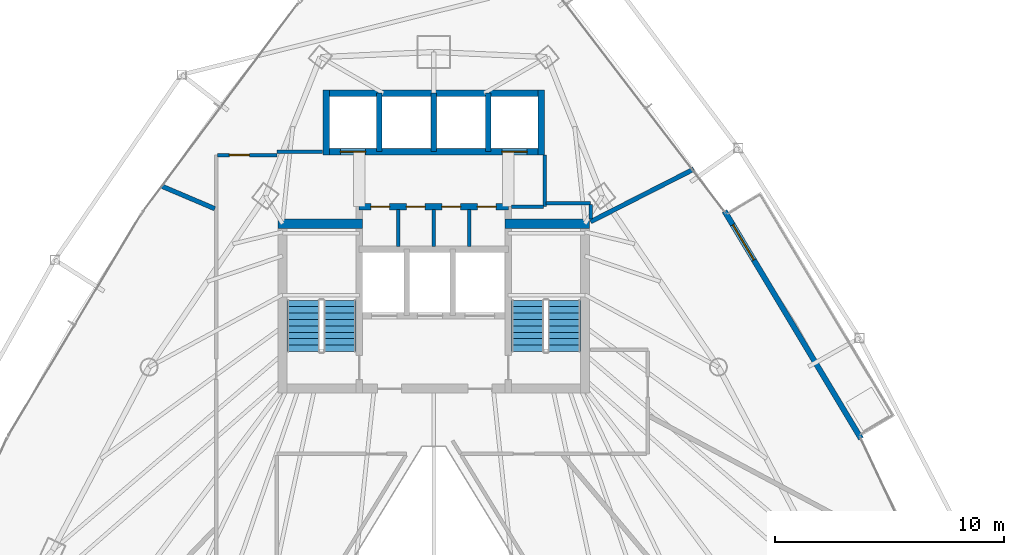
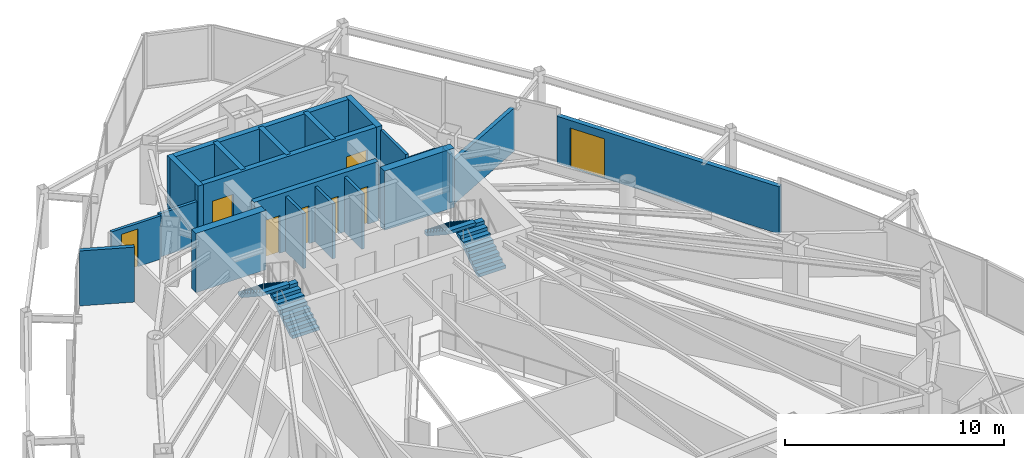
# One storey, part 28 of 31: 22 walls, 8 doors, 4 stair flights, 8 openings, 2 elements without a shape of their own.
"""IFC4 building model written with IfcOpenShell, lengths in metres."""

import ifcopenshell
import ifcopenshell.guid

model = None  # the IFC model being written
_history = None  # IfcOwnerHistory: only IFC2X3 demands one
_inside = {}  # id of a spatial element -> (the spatial element, [elements in it])
_under = {}  # id of a project, library or spatial element -> (it, [spatial elements below it])
_declared = {}  # id of a project -> (the project, [libraries it declares])
_typed = {}  # id of a type object -> (the type object, [elements of that type])
_made_of = {}  # id of a material, layer set ... -> (it, [elements and type objects made of it])


def new_model(schema):
    """Start an empty IFC model of exactly this schema.

    Asked for "IFC4X3", IfcOpenShell would pick the latest addendum, in which some entities
    have other attributes; the version numbers below select the first issue.
    IFC2X3 requires an IfcOwnerHistory on every rooted entity: one is made here for all.
    """
    global model, _history
    if schema == "IFC4X3":
        model = ifcopenshell.file(schema_version=(4, 3, 0, 0))
    else:
        model = ifcopenshell.file(schema=schema)
    _inside.clear()
    _under.clear()
    _declared.clear()
    _typed.clear()
    _made_of.clear()
    _history = None
    if model.schema == "IFC2X3":
        org = make("IfcOrganization", Name="unknown")
        user = make(
            "IfcPersonAndOrganization",
            ThePerson=make("IfcPerson", FamilyName="unknown"),
            TheOrganization=org,
        )
        app = make(
            "IfcApplication",
            ApplicationDeveloper=org,
            Version="unknown",
            ApplicationFullName="unknown",
            ApplicationIdentifier="unknown",
        )
        _history = make(
            "IfcOwnerHistory",
            OwningUser=user,
            OwningApplication=app,
            ChangeAction="ADDED",
            CreationDate=0,
        )
    return model


def make(cls, **values):
    """One entity of the class cls with the attributes given. An attribute that is None is left unset."""
    return model.create_entity(
        cls, **{name: value for name, value in values.items() if value is not None}
    )


def rooted(cls, **values):
    """An entity with a GlobalId (a new one), such as an element, a storey or a relation."""
    return make(cls, GlobalId=ifcopenshell.guid.new(), OwnerHistory=_history, **values)


def si_unit(unit_type, name, prefix=None):
    """IfcSIUnit, for example si_unit("LENGTHUNIT", "METRE", prefix="MILLI")."""
    return make("IfcSIUnit", UnitType=unit_type, Prefix=prefix, Name=name)


def assignment(units):
    """IfcUnitAssignment: the units of a project."""
    return None if units is None else make("IfcUnitAssignment", Units=units)


def point(xyz):
    """IfcCartesianPoint."""
    return None if xyz is None else make("IfcCartesianPoint", Coordinates=xyz)


def direction(xyz):
    """IfcDirection."""
    return None if xyz is None else make("IfcDirection", DirectionRatios=xyz)


def frame(location, z_axis=None, x_axis=None):
    """IfcAxis2Placement3D, a coordinate frame: its origin and axes. An axis left out is left unset."""
    return make(
        "IfcAxis2Placement3D",
        Location=point(location),
        Axis=direction(z_axis),
        RefDirection=direction(x_axis),
    )


def frame_2d(location, x_axis=None):
    """IfcAxis2Placement2D, a coordinate frame in the plane: its origin and x axis."""
    return make(
        "IfcAxis2Placement2D", Location=point(location), RefDirection=direction(x_axis)
    )


def origin():
    """The frame at (0, 0, 0) with its axes left unset."""
    return frame((0.0, 0.0, 0.0))


def place(relative_to, where):
    """IfcLocalPlacement: puts the frame where relative to a parent placement (None: the world)."""
    return make(
        "IfcLocalPlacement", PlacementRelTo=relative_to, RelativePlacement=where
    )


def context(
    kind, dimensions, precision=None, world=None, true_north=None, identifier=None
):
    """IfcGeometricRepresentationContext, for example the 3D "Model" context."""
    return make(
        "IfcGeometricRepresentationContext",
        ContextIdentifier=identifier,
        ContextType=kind,
        CoordinateSpaceDimension=dimensions,
        Precision=precision,
        WorldCoordinateSystem=world,
        TrueNorth=true_north,
    )


def subcontext(parent, identifier, kind, view, scale=None):
    """IfcGeometricRepresentationSubContext, for example "Body" below "Model"."""
    return make(
        "IfcGeometricRepresentationSubContext",
        ContextIdentifier=identifier,
        ContextType=kind,
        ParentContext=parent,
        TargetScale=scale,
        TargetView=view,
    )


def project(units=None, contexts=None):
    """IfcProject with its units and contexts."""
    return rooted(
        "IfcProject",
        Name="project",
        RepresentationContexts=contexts,
        UnitsInContext=assignment(units),
    )


def spatial(cls, under=None, at=None, **own):
    """A site, building, storey or space (cls), placed at a placement, below another one or the project."""
    s = rooted(cls, ObjectPlacement=at, **own)
    if under is not None:
        _under.setdefault(under.id(), (under, []))[1].append(s)
    return s


def polyline(points):
    """IfcPolyline through the points."""
    return make("IfcPolyline", Points=[point(p) for p in points])


def profile(cls, at=None, kind="AREA", **sizes):
    """A parametric profile (cls). Its sizes go by their IFC names, for example OverallWidth=200.0."""
    return make(cls, ProfileType=kind, Position=at, **sizes)


def rectangle(**sizes):
    """IfcRectangleProfileDef."""
    return profile("IfcRectangleProfileDef", **sizes)


def outline(outer, holes=None, kind="AREA"):
    """IfcArbitraryClosedProfileDef: a profile drawn as a closed curve; with holes, ...WithVoids."""
    if holes is None:
        return make("IfcArbitraryClosedProfileDef", ProfileType=kind, OuterCurve=outer)
    return make(
        "IfcArbitraryProfileDefWithVoids",
        ProfileType=kind,
        OuterCurve=outer,
        InnerCurves=holes,
    )


def extrude(swept, where, along, depth):
    """IfcExtrudedAreaSolid: the profile swept, set in the frame where, extruded along a direction by depth."""
    return make(
        "IfcExtrudedAreaSolid",
        SweptArea=swept,
        Position=where,
        ExtrudedDirection=direction(along),
        Depth=depth,
    )


def shape(context_of_items, identifier, shape_type, items):
    """IfcShapeRepresentation: the items that make up one representation, for example the "Body"."""
    return make(
        "IfcShapeRepresentation",
        ContextOfItems=context_of_items,
        RepresentationIdentifier=identifier,
        RepresentationType=shape_type,
        Items=items,
    )


def material(Name=None, Category=None):
    """IfcMaterial."""
    return make("IfcMaterial", Name=Name, Category=Category)


def layer(
    of_material, thickness, ventilated=None, Name=None, Category=None, Priority=None
):
    """IfcMaterialLayer: one layer of a wall or slab, of a material (None: an air gap)."""
    return make(
        "IfcMaterialLayer",
        Material=of_material,
        LayerThickness=thickness,
        IsVentilated=ventilated,
        Name=Name,
        Category=Category,
        Priority=Priority,
    )


def layer_set(layers, Name=None):
    """IfcMaterialLayerSet."""
    return make("IfcMaterialLayerSet", MaterialLayers=layers, LayerSetName=Name)


def made_of(thing, what):
    """Note that an element or type object is made of a material, layer set ...; save() writes the relation."""
    if what is not None:
        _made_of.setdefault(what.id(), (what, []))[1].append(thing)
    return thing


def type_object(cls, material=None, **own):
    """A type object (cls), such as IfcWallType, which elements share."""
    return made_of(rooted(cls, **own), material)


def element(
    cls,
    number,
    at=None,
    inside=None,
    cuts=None,
    type_object=None,
    material=None,
    context=None,
    identifier="Body",
    shape_type=None,
    held_by="IfcProductDefinitionShape",
    body=None,
    shapes=None,
    **own,
):
    """One element of the class cls, such as IfcWall. Its Tag is "e" and its number.

    at: its placement. inside: the storey or other place that contains it. cuts: it is an
    opening in that element (IfcRelVoidsElement). A single representation is given by context,
    identifier, shape_type and body (its items); several are given by shapes. held_by: the class
    of the entity that holds the representations. save() writes the other relations.
    """
    e = rooted(cls, Tag="e%d" % number, ObjectPlacement=at, **own)
    if body is not None:
        shapes = [shape(context, identifier, shape_type, body)]
    if shapes is not None:
        e.Representation = make(held_by, Representations=shapes)
    if inside is not None:
        _inside.setdefault(inside.id(), (inside, []))[1].append(e)
    if cuts is not None:
        rooted(
            "IfcRelVoidsElement", RelatingBuildingElement=cuts, RelatedOpeningElement=e
        )
    if type_object is not None:
        _typed.setdefault(type_object.id(), (type_object, []))[1].append(e)
    return made_of(e, material)


def fill(opening, filler):
    """IfcRelFillsElement: the door or window that sits in an opening."""
    return rooted(
        "IfcRelFillsElement",
        RelatingOpeningElement=opening,
        RelatedBuildingElement=filler,
    )


def aggregate(whole, parts):
    """IfcRelAggregates: a whole, such as a stair, and the parts it consists of."""
    return rooted("IfcRelAggregates", RelatingObject=whole, RelatedObjects=parts)


def save(model, path):
    """Write the relations noted so far, then the file.

    IfcRelAggregates (storeys below a building ...), IfcRelContainedInSpatialStructure (elements
    in a storey), IfcRelDefinesByType, IfcRelAssociatesMaterial and IfcRelDeclares: one each for
    every whole, place, type object, material and project.
    """
    for whole, parts in _under.values():
        aggregate(whole, parts)
    for where, things in _inside.values():
        rooted(
            "IfcRelContainedInSpatialStructure",
            RelatedElements=things,
            RelatingStructure=where,
        )
    for kind, things in _typed.values():
        rooted("IfcRelDefinesByType", RelatedObjects=things, RelatingType=kind)
    for what, things in _made_of.values():
        rooted("IfcRelAssociatesMaterial", RelatedObjects=things, RelatingMaterial=what)
    for by, libraries in _declared.values():
        rooted("IfcRelDeclares", RelatingContext=by, RelatedDefinitions=libraries)
    model.write(path)


model = new_model("IFC4")

# Units and contexts
model_context = context("Model", 3, precision=1e-05, world=origin(), true_north=direction((0.0, 1.0)))
body_context = subcontext(model_context, "Body", "Model", "MODEL_VIEW")
ifc_project = project(units=[si_unit("LENGTHUNIT", "METRE"), si_unit("AREAUNIT", "SQUARE_METRE"), si_unit("VOLUMEUNIT", "CUBIC_METRE"), si_unit("PLANEANGLEUNIT", "RADIAN"), si_unit("MASSUNIT", "GRAM", prefix="KILO")], contexts=[model_context])

# Site, building, storey
site_placement = place(None, origin())
site = spatial("IfcSite", under=ifc_project, at=site_placement, CompositionType="ELEMENT")
building_placement = place(site_placement, origin())
building = spatial("IfcBuilding", under=site, at=building_placement, Name="Orvanel Arch Residences", CompositionType="ELEMENT")
storey_placement = place(building_placement, frame((0.0, 0.0, 129.800048828125)))
storey = spatial("IfcBuildingStorey", under=building, at=storey_placement, Name="L36", CompositionType="ELEMENT", Elevation=129.800048828125)

# Wall, opening, door
ifc_material_1 = material(Name="Precast concrete N50 (50 MPa)", Category="concrete")
ifc_layer_1 = layer(ifc_material_1, 0.239990234375)
ifc_layer_set_1 = layer_set([ifc_layer_1], Name="Precast concrete N50 (50 MPa)")
wall_type_1 = type_object("IfcWallType", Name="EW-BAL-240", PredefinedType="SOLIDWALL", material=ifc_layer_set_1)
wall_1_placement = place(storey_placement, frame((51.658935546875, 24.514892578125, 0.0), z_axis=(0.0, 0.0, 1.0), x_axis=(-0.514343998995, 0.857583961311, 0.0)))
wall_1 = element("IfcWall", 1, at=wall_1_placement, inside=storey, type_object=wall_type_1, Name="L36 Balcony Threshold Wall Face 3", PredefinedType="SOLIDWALL", context=body_context, shape_type="SweptSolid", body=[
    extrude(rectangle(XDim=11.59326171875, YDim=0.239990234375, at=frame_2d((5.796630859375, 0.0))), origin(), (0.0, 0.0, 1.0), 2.6240234375),
])
opening_1_placement = place(wall_1_placement, frame((9.095947265625, 0.0, 0.0)))
opening_1 = element("IfcOpeningElement", 2, at=opening_1_placement, cuts=wall_1, Name="Opening DB-180", PredefinedType="OPENING", context=body_context, shape_type="SweptSolid", body=[
    extrude(rectangle(XDim=1.800048828125, YDim=2.199951171875, at=frame_2d((0.89990234375, 1.10009765625))), frame((0.0, 0.1298828125, 0.0), z_axis=(0.0, -1.0, 0.0), x_axis=(1.0, 0.0, 0.0)), (0.0, 0.0, 1.0), 0.260009765625),
])
ifc_material_2 = material(Name="Bronze-anodised aluminium AA6063-T6", Category="aluminium")
door_type_1 = type_object("IfcDoorType", Name="DR-BAL-1800", OperationType="NOTDEFINED", PredefinedType="DOOR", material=ifc_material_2)
door_1_placement = place(opening_1_placement, origin())
door_1 = element("IfcDoor", 3, at=door_1_placement, inside=storey, type_object=door_type_1, Name="DR-L36-BAL-F3 L36 Planted Balcony Access Door Face 3", OperationType="SINGLE_SWING_LEFT", OverallHeight=2.199951171875, OverallWidth=1.800048828125, PredefinedType="DOOR", context=body_context, shape_type="SweptSolid", body=[
    extrude(rectangle(XDim=1.800048828125, YDim=2.199951171875, at=frame_2d((0.89990234375, 1.10009765625))), frame((0.0, 0.02490234375, 0.0), z_axis=(0.0, -1.0, 0.0), x_axis=(1.0, 0.0, 0.0)), (0.0, 0.0, 1.0), 0.050048828125),
])
fill(opening_1, door_1)

# Walls
ifc_material_3 = material(Name="Concrete N50 (50 MPa)", Category="concrete")
ifc_layer_2 = layer(ifc_material_3, 0.25)
ifc_layer_set_2 = layer_set([ifc_layer_2], Name="Concrete N50 (50 MPa)")
wall_type_2 = type_object("IfcWallType", Name="SW-CORE-250", PredefinedType="SHEAR", material=ifc_layer_set_2)
for number, where, z_axis, x_axis, name in (
    (4, (30.625, 37.050048828125, 0.0), (0.0, 0.0, 1.0), (0.0, 1.0, 0.0), "L36 Passenger Lift Inter-Shaft Wall P35"),
    (5, (33.0, 37.050048828125, 0.0), (0.0, 0.0, 1.0), (0.0, 1.0, 0.0), "L36 Passenger Lift Inter-Shaft Wall P56"),
    (6, (35.375, 37.050048828125, 0.0), (0.0, 0.0, 1.0), (0.0, 1.0, 0.0), "L36 Passenger Lift Inter-Shaft Wall P64"),
):
    element("IfcWall", number, at=place(storey_placement, frame(where, z_axis=z_axis, x_axis=x_axis)), inside=storey, type_object=wall_type_2, Name=name, PredefinedType="SHEAR", context=body_context, shape_type="SweptSolid", body=[
        extrude(rectangle(XDim=2.550048828125, YDim=0.25, at=frame_2d((1.27490234375, 0.0))), origin(), (0.0, 0.0, 1.0), 3.300048828125),
    ])

# Wall, openings, doors
ifc_material_4 = material(Name="Concrete S65 (65 MPa)", Category="concrete")
ifc_layer_3 = layer(ifc_material_4, 0.280029296875)
ifc_layer_set_3 = layer_set([ifc_layer_3], Name="Concrete S65 (65 MPa)")
wall_type_3 = type_object("IfcWallType", Name="SW-CORE-280", PredefinedType="SHEAR", material=ifc_layer_set_3)
wall_2_placement = place(storey_placement, frame((29.739990234375, 34.64990234375, 0.0), z_axis=(0.0, 0.0, 1.0), x_axis=(1.0, 0.0, 0.0)))
wall_2 = element("IfcWall", 7, at=wall_2_placement, inside=storey, type_object=wall_type_3, Name="L36 Core Service Band North Shear Wall", PredefinedType="SHEAR", context=body_context, shape_type="SweptSolid", body=[
    extrude(rectangle(XDim=6.52001953125, YDim=0.280029296875, at=frame_2d((3.260009765625, 0.0))), origin(), (0.0, 0.0, 1.0), 3.300048828125),
])
opening_2_placement = place(wall_2_placement, frame((0.514892578125, 0.0, 0.0)))
opening_2 = element("IfcOpeningElement", 8, at=opening_2_placement, cuts=wall_2, Name="Opening DS-082", PredefinedType="OPENING", context=body_context, shape_type="SweptSolid", body=[
    extrude(rectangle(XDim=0.820068359375, YDim=2.10009765625, at=frame_2d((0.41015625, 1.050048828125))), frame((0.0, 0.14990234375, 0.0), z_axis=(0.0, -1.0, 0.0), x_axis=(1.0, 0.0, 0.0)), (0.0, 0.0, 1.0), 0.300048828125),
])
opening_3_placement = place(wall_2_placement, frame((2.06494140625, 0.0, 0.0)))
opening_3 = element("IfcOpeningElement", 9, at=opening_3_placement, cuts=wall_2, Name="Opening DS-082", PredefinedType="OPENING", context=body_context, shape_type="SweptSolid", body=[
    extrude(rectangle(XDim=0.820068359375, YDim=2.10009765625, at=frame_2d((0.41015625, 1.050048828125))), frame((0.0, 0.14990234375, 0.0), z_axis=(0.0, -1.0, 0.0), x_axis=(1.0, 0.0, 0.0)), (0.0, 0.0, 1.0), 0.300048828125),
])
opening_4_placement = place(wall_2_placement, frame((3.614990234375, 0.0, 0.0)))
opening_4 = element("IfcOpeningElement", 10, at=opening_4_placement, cuts=wall_2, Name="Opening DS-082", PredefinedType="OPENING", context=body_context, shape_type="SweptSolid", body=[
    extrude(rectangle(XDim=0.820068359375, YDim=2.10009765625, at=frame_2d((0.41015625, 1.050048828125))), frame((0.0, 0.14990234375, 0.0), z_axis=(0.0, -1.0, 0.0), x_axis=(1.0, 0.0, 0.0)), (0.0, 0.0, 1.0), 0.300048828125),
])
opening_5_placement = place(wall_2_placement, frame((5.1650390625, 0.0, 0.0)))
opening_5 = element("IfcOpeningElement", 11, at=opening_5_placement, cuts=wall_2, Name="Opening DS-082", PredefinedType="OPENING", context=body_context, shape_type="SweptSolid", body=[
    extrude(rectangle(XDim=0.820068359375, YDim=2.10009765625, at=frame_2d((0.41015625, 1.050048828125))), frame((0.0, 0.14990234375, 0.0), z_axis=(0.0, -1.0, 0.0), x_axis=(1.0, 0.0, 0.0)), (0.0, 0.0, 1.0), 0.300048828125),
])
ifc_material_5 = material(Name="Galvanised steel fire-resisting door assembly", Category="steel")
door_type_2 = type_object("IfcDoorType", Name="DR-SVC-820", OperationType="NOTDEFINED", PredefinedType="DOOR", material=ifc_material_5)
door_2_placement = place(opening_2_placement, origin())
door_2 = element("IfcDoor", 12, at=door_2_placement, inside=storey, type_object=door_type_2, Name="DR-L36-CSVC-1 L36 Linen Store Door", OperationType="SINGLE_SWING_LEFT", OverallHeight=2.10009765625, OverallWidth=0.820068359375, PredefinedType="DOOR", context=body_context, shape_type="SweptSolid", body=[
    extrude(rectangle(XDim=0.820068359375, YDim=2.10009765625, at=frame_2d((0.41015625, 1.050048828125))), frame((0.0, 0.02490234375, 0.0), z_axis=(0.0, -1.0, 0.0), x_axis=(1.0, 0.0, 0.0)), (0.0, 0.0, 1.0), 0.050048828125),
])
fill(opening_2, door_2)
door_3_placement = place(opening_3_placement, origin())
door_3 = element("IfcDoor", 13, at=door_3_placement, inside=storey, type_object=door_type_2, Name="DR-L36-CSVC-2 L36 Cleaner's Store Door", OperationType="SINGLE_SWING_LEFT", OverallHeight=2.10009765625, OverallWidth=0.820068359375, PredefinedType="DOOR", context=body_context, shape_type="SweptSolid", body=[
    extrude(rectangle(XDim=0.820068359375, YDim=2.10009765625, at=frame_2d((0.41015625, 1.050048828125))), frame((0.0, 0.02490234375, 0.0), z_axis=(0.0, -1.0, 0.0), x_axis=(1.0, 0.0, 0.0)), (0.0, 0.0, 1.0), 0.050048828125),
])
fill(opening_3, door_3)
door_4_placement = place(opening_4_placement, origin())
door_4 = element("IfcDoor", 14, at=door_4_placement, inside=storey, type_object=door_type_2, Name="DR-L36-CSVC-3 L36 Electrical Meter Store Door", OperationType="SINGLE_SWING_LEFT", OverallHeight=2.10009765625, OverallWidth=0.820068359375, PredefinedType="DOOR", context=body_context, shape_type="SweptSolid", body=[
    extrude(rectangle(XDim=0.820068359375, YDim=2.10009765625, at=frame_2d((0.41015625, 1.050048828125))), frame((0.0, 0.02490234375, 0.0), z_axis=(0.0, -1.0, 0.0), x_axis=(1.0, 0.0, 0.0)), (0.0, 0.0, 1.0), 0.050048828125),
])
fill(opening_4, door_4)
door_5_placement = place(opening_5_placement, origin())
door_5 = element("IfcDoor", 15, at=door_5_placement, inside=storey, type_object=door_type_2, Name="DR-L36-CSVC-4 L36 Housekeeping Supply Store Door", OperationType="SINGLE_SWING_LEFT", OverallHeight=2.10009765625, OverallWidth=0.820068359375, PredefinedType="DOOR", context=body_context, shape_type="SweptSolid", body=[
    extrude(rectangle(XDim=0.820068359375, YDim=2.10009765625, at=frame_2d((0.41015625, 1.050048828125))), frame((0.0, 0.02490234375, 0.0), z_axis=(0.0, -1.0, 0.0), x_axis=(1.0, 0.0, 0.0)), (0.0, 0.0, 1.0), 0.050048828125),
])
fill(opening_5, door_5)

wall_3_placement = place(storey_placement, frame((37.840087890625, 37.050048828125, 0.0), z_axis=(0.0, 0.0, 1.0), x_axis=(-1.0, 0.0, 0.0)))
wall_3 = element("IfcWall", 16, at=wall_3_placement, inside=storey, type_object=wall_type_3, Name="L36 Passenger Lift Bank Front Shear Wall", PredefinedType="SHEAR", context=body_context, shape_type="SweptSolid", body=[
    extrude(rectangle(XDim=9.68017578125, YDim=0.280029296875, at=frame_2d((4.840087890625, 0.0))), origin(), (0.0, 0.0, 1.0), 3.300048828125),
])
opening_6_placement = place(wall_3_placement, frame((7.81494140625, 0.0, 0.0)))
opening_6 = element("IfcOpeningElement", 17, at=opening_6_placement, cuts=wall_3, Name="Opening LD-110", PredefinedType="OPENING", context=body_context, shape_type="SweptSolid", body=[
    extrude(rectangle(XDim=1.10009765625, YDim=2.199951171875, at=frame_2d((0.550048828125, 1.10009765625))), frame((0.0, 0.14990234375, 0.0), z_axis=(0.0, -1.0, 0.0), x_axis=(1.0, 0.0, 0.0)), (0.0, 0.0, 1.0), 0.300048828125),
])
opening_7_placement = place(wall_3_placement, frame((0.764892578125, 0.0, 0.0)))
opening_7 = element("IfcOpeningElement", 18, at=opening_7_placement, cuts=wall_3, Name="Opening LD-110", PredefinedType="OPENING", context=body_context, shape_type="SweptSolid", body=[
    extrude(rectangle(XDim=1.10009765625, YDim=2.199951171875, at=frame_2d((0.550048828125, 1.10009765625))), frame((0.0, 0.14990234375, 0.0), z_axis=(0.0, -1.0, 0.0), x_axis=(1.0, 0.0, 0.0)), (0.0, 0.0, 1.0), 0.300048828125),
])
door_type_3 = type_object("IfcDoorType", Name="DR-LFT-1100", OperationType="NOTDEFINED", PredefinedType="DOOR", material=ifc_material_5)
door_6_placement = place(opening_6_placement, origin())
door_6 = element("IfcDoor", 19, at=door_6_placement, inside=storey, type_object=door_type_3, Name="LD-P3-L36 L36 Passenger Lift P3 Sliding Landing Door", OperationType="DOUBLE_DOOR_SLIDING", OverallHeight=2.199951171875, OverallWidth=1.10009765625, PredefinedType="DOOR", context=body_context, shape_type="SweptSolid", body=[
    extrude(rectangle(XDim=1.10009765625, YDim=2.199951171875, at=frame_2d((0.550048828125, 1.10009765625))), frame((0.0, 0.02490234375, 0.0), z_axis=(0.0, -1.0, 0.0), x_axis=(1.0, 0.0, 0.0)), (0.0, 0.0, 1.0), 0.050048828125),
])
fill(opening_6, door_6)
door_7_placement = place(opening_7_placement, origin())
door_7 = element("IfcDoor", 20, at=door_7_placement, inside=storey, type_object=door_type_3, Name="LD-P4-L36 L36 Passenger Lift P4 Sliding Landing Door", OperationType="DOUBLE_DOOR_SLIDING", OverallHeight=2.199951171875, OverallWidth=1.10009765625, PredefinedType="DOOR", context=body_context, shape_type="SweptSolid", body=[
    extrude(rectangle(XDim=1.10009765625, YDim=2.199951171875, at=frame_2d((0.550048828125, 1.10009765625))), frame((0.0, 0.02490234375, 0.0), z_axis=(0.0, -1.0, 0.0), x_axis=(1.0, 0.0, 0.0)), (0.0, 0.0, 1.0), 0.050048828125),
])
fill(opening_7, door_7)

# Walls
wall_4_placement = place(storey_placement, frame((28.159912109375, 39.60009765625, 0.0), z_axis=(0.0, 0.0, 1.0), x_axis=(1.0, 0.0, 0.0)))
element("IfcWall", 21, at=wall_4_placement, inside=storey, type_object=wall_type_3, Name="L36 Passenger Lift Bank North Shear Wall", PredefinedType="SHEAR", context=body_context, shape_type="SweptSolid", body=[
    extrude(rectangle(XDim=9.68017578125, YDim=0.280029296875, at=frame_2d((4.840087890625, 0.0))), origin(), (0.0, 0.0, 1.0), 3.300048828125),
])
for number, where, z_axis, x_axis, name in (
    (22, (28.300048828125, 36.909912109375, 0.0), (0.0, 0.0, 1.0), (0.0, 1.0, 0.0), "L36 Passenger Lift Bank West Shear Wall"),
    (23, (37.699951171875, 36.909912109375, 0.0), (0.0, 0.0, 1.0), (0.0, 1.0, 0.0), "L36 Passenger Lift Bank East Shear Wall"),
):
    element("IfcWall", number, at=place(storey_placement, frame(where, z_axis=z_axis, x_axis=x_axis)), inside=storey, type_object=wall_type_3, Name=name, PredefinedType="SHEAR", context=body_context, shape_type="SweptSolid", body=[
        extrude(rectangle(XDim=2.830078125, YDim=0.280029296875, at=frame_2d((1.4150390625, 0.0))), origin(), (0.0, 0.0, 1.0), 3.300048828125),
    ])
ifc_layer_4 = layer(ifc_material_4, 0.39990234375)
ifc_layer_set_4 = layer_set([ifc_layer_4], Name="Concrete S65 (65 MPa)")
wall_type_4 = type_object("IfcWallType", Name="SW-CORE-400", PredefinedType="SHEAR", material=ifc_layer_set_4)
for number, where, z_axis, x_axis, name in (
    (24, (26.199951171875, 33.89990234375, 0.0), (0.0, 0.0, 1.0), (1.0, 0.0, 0.0), "L36 West Stair North Shear Wall"),
    (25, (36.1201171875, 33.89990234375, 0.0), (0.0, 0.0, 1.0), (1.0, 0.0, 0.0), "L36 East Stair North Shear Wall"),
):
    element("IfcWall", number, at=place(storey_placement, frame(where, z_axis=z_axis, x_axis=x_axis)), inside=storey, type_object=wall_type_4, Name=name, PredefinedType="SHEAR", context=body_context, shape_type="SweptSolid", body=[
        extrude(rectangle(XDim=3.679931640625, YDim=0.39990234375, at=frame_2d((1.83984375, 0.0))), origin(), (0.0, 0.0, 1.0), 3.300048828125),
    ])
ifc_material_6 = material(Name="Fire-rated plasterboard lined steel stud partition", Category="steel")
ifc_layer_5 = layer(ifc_material_6, 0.14990234375)
ifc_layer_set_5 = layer_set([ifc_layer_5], Name="Fire-rated plasterboard lined steel stud partition")
wall_type_5 = type_object("IfcWallType", Name="W-COR-150", PredefinedType="PARTITIONING", material=ifc_layer_set_5)
wall_5_placement = place(storey_placement, frame((37.85009765625, 34.64990234375, 0.0), z_axis=(0.0, 0.0, 1.0), x_axis=(0.0, 1.0, 0.0)))
element("IfcWall", 26, at=wall_5_placement, inside=storey, type_object=wall_type_5, Name="L36 Passenger Lift Lobby East Closure Wall", PredefinedType="PARTITIONING", context=body_context, shape_type="SweptSolid", body=[
    extrude(rectangle(XDim=2.260009765625, YDim=0.14990234375, at=frame_2d((1.1298828125, 0.0))), origin(), (0.0, 0.0, 1.0), 3.06005859375),
])
wall_6_placement = place(storey_placement, frame((36.385009765625, 34.64990234375, 0.0), z_axis=(0.0, 0.0, 1.0), x_axis=(1.0, 0.0, 0.0)))
element("IfcWall", 27, at=wall_6_placement, inside=storey, type_object=wall_type_5, Name="L36 Passenger Lift Lobby South-East Wall", PredefinedType="PARTITIONING", context=body_context, shape_type="SweptSolid", body=[
    extrude(rectangle(XDim=1.405029296875, YDim=0.14990234375, at=frame_2d((0.70263671875, 0.0))), origin(), (0.0, 0.0, 1.0), 2.425048828125),
])

# Wall, opening, door
wall_7_placement = place(storey_placement, frame((23.56005859375, 36.89990234375, 0.0), z_axis=(0.0, 0.0, 1.0), x_axis=(1.0, 0.0, 0.0)))
wall_7 = element("IfcWall", 28, at=wall_7_placement, inside=storey, type_object=wall_type_5, Name="L36 Corridor Fire-Rated Partition", PredefinedType="PARTITIONING", context=body_context, shape_type="SweptSolid", body=[
    extrude(rectangle(XDim=2.58984375, YDim=0.14990234375, at=frame_2d((1.294921875, 0.0))), origin(), (0.0, 0.0, 1.0), 2.412841796875),
])
opening_8_placement = place(wall_7_placement, frame((0.514892578125, 0.0, 0.0)))
opening_8 = element("IfcOpeningElement", 29, at=opening_8_placement, cuts=wall_7, Name="Opening DI-088", PredefinedType="OPENING", context=body_context, shape_type="SweptSolid", body=[
    extrude(rectangle(XDim=0.8798828125, YDim=2.10009765625, at=frame_2d((0.43994140625, 1.050048828125))), frame((0.0, 0.0849609375, 0.0), z_axis=(0.0, -1.0, 0.0), x_axis=(1.0, 0.0, 0.0)), (0.0, 0.0, 1.0), 0.169921875),
])
ifc_material_7 = material(Name="Solid-core European oak veneer fire door leaf", Category="wood")
door_type_4 = type_object("IfcDoorType", Name="DR-INT-880", OperationType="NOTDEFINED", PredefinedType="DOOR", material=ifc_material_7)
door_8_placement = place(opening_8_placement, origin())
door_8 = element("IfcDoor", 30, at=door_8_placement, inside=storey, type_object=door_type_4, Name="DR-L36-SHRD-FB3 L36 Co-Working Study Office C Door", OperationType="SINGLE_SWING_LEFT", OverallHeight=2.10009765625, OverallWidth=0.8798828125, PredefinedType="DOOR", context=body_context, shape_type="SweptSolid", body=[
    extrude(rectangle(XDim=0.8798828125, YDim=2.10009765625, at=frame_2d((0.43994140625, 1.050048828125))), frame((0.0, 0.02490234375, 0.0), z_axis=(0.0, -1.0, 0.0), x_axis=(1.0, 0.0, 0.0)), (0.0, 0.0, 1.0), 0.050048828125),
])
fill(opening_8, door_8)

# Walls
wall_8_placement = place(storey_placement, frame((26.14990234375, 37.050048828125, 0.0), z_axis=(0.0, 0.0, 1.0), x_axis=(1.0, 0.0, 0.0)))
element("IfcWall", 31, at=wall_8_placement, inside=storey, type_object=wall_type_5, Name="L36 Core Perimeter Partition", PredefinedType="PARTITIONING", context=body_context, shape_type="SweptSolid", body=[
    extrude(rectangle(XDim=2.0, YDim=0.14990234375, at=frame_2d((1.0, 0.0))), origin(), (0.0, 0.0, 1.0), 2.412841796875),
])
wall_9_placement = place(storey_placement, frame((37.909912109375, 34.800048828125, 0.0), z_axis=(0.0, 0.0, 1.0), x_axis=(1.0, 0.0, 0.0)))
element("IfcWall", 32, at=wall_9_placement, inside=storey, type_object=wall_type_5, Name="L36 Core Perimeter Partition", PredefinedType="PARTITIONING", context=body_context, shape_type="SweptSolid", body=[
    extrude(rectangle(XDim=1.940185546875, YDim=0.14990234375, at=frame_2d((0.97021484375, 0.0))), origin(), (0.0, 0.0, 1.0), 2.720947265625),
])
wall_10_placement = place(storey_placement, frame((39.85009765625, 34.739990234375, 0.0), z_axis=(0.0, 0.0, 1.0), x_axis=(0.0, -1.0, 0.0)))
element("IfcWall", 33, at=wall_10_placement, inside=storey, type_object=wall_type_5, Name="L36 Core Perimeter Partition", PredefinedType="PARTITIONING", context=body_context, shape_type="SweptSolid", body=[
    extrude(rectangle(XDim=0.639892578125, YDim=0.14990234375, at=frame_2d((0.31982421875, 0.0))), origin(), (0.0, 0.0, 1.0), 2.720947265625),
])
ifc_layer_6 = layer(ifc_material_6, 0.199951171875)
ifc_layer_set_6 = layer_set([ifc_layer_6], Name="Fire-rated plasterboard lined steel stud partition")
wall_type_6 = type_object("IfcWallType", Name="W-DEM-200", PredefinedType="PARTITIONING", material=ifc_layer_set_6)
wall_11_placement = place(storey_placement, frame((21.111083984375, 35.547119140625, 0.0), z_axis=(0.0, 0.0, 1.0), x_axis=(0.920437694564, -0.390889307126, 0.0)))
element("IfcWall", 34, at=wall_11_placement, inside=storey, type_object=wall_type_6, Name="L36 Inter-Tenancy Acoustic Demising Wall", PredefinedType="PARTITIONING", context=body_context, shape_type="SweptSolid", body=[
    extrude(rectangle(XDim=2.5302734375, YDim=0.199951171875, at=frame_2d((1.26513671875, 0.0))), origin(), (0.0, 0.0, 1.0), 3.06005859375),
])
wall_12_placement = place(storey_placement, frame((44.35888671875, 36.2880859375, 0.0), z_axis=(0.0, 0.0, 1.0), x_axis=(-0.890946333403, -0.454108611453, 0.0)))
element("IfcWall", 35, at=wall_12_placement, inside=storey, type_object=wall_type_6, Name="L36 Inter-Tenancy Acoustic Demising Wall", PredefinedType="PARTITIONING", context=body_context, shape_type="SweptSolid", body=[
    extrude(rectangle(XDim=5.060791015625, YDim=0.199951171875, at=frame_2d((2.5302734375, 0.0))), origin(), (0.0, 0.0, 1.0), 2.412841796875),
])
ifc_layer_7 = layer(ifc_material_6, 0.14990234375)
ifc_layer_set_7 = layer_set([ifc_layer_7], Name="Fire-rated plasterboard lined steel stud partition")
wall_type_7 = type_object("IfcWallType", Name="W-ST-150", PredefinedType="PARTITIONING", material=ifc_layer_set_7)
for number, where, z_axis, x_axis, name in (
    (36, (31.449951171875, 32.9150390625, 0.0), (0.0, 0.0, 1.0), (0.0, 1.0, 0.0), "L36 Core Service Partition 1"),
    (37, (33.0, 32.9150390625, 0.0), (0.0, 0.0, 1.0), (0.0, 1.0, 0.0), "L36 Core Service Partition 2"),
    (38, (34.550048828125, 32.9150390625, 0.0), (0.0, 0.0, 1.0), (0.0, 1.0, 0.0), "L36 Core Service Partition 3"),
):
    element("IfcWall", number, at=place(storey_placement, frame(where, z_axis=z_axis, x_axis=x_axis)), inside=storey, type_object=wall_type_7, Name=name, PredefinedType="PARTITIONING", context=body_context, shape_type="SweptSolid", body=[
        extrude(rectangle(XDim=1.60986328125, YDim=0.14990234375, at=frame_2d((0.804931640625, 0.0))), origin(), (0.0, 0.0, 1.0), 3.06005859375),
    ])

# Stair, stair flights
stair_type = type_object("IfcStairType", Name="STR-DOG-184", PredefinedType="USERDEFINED", material=ifc_material_1)
stair_1_placement = place(storey_placement, origin())
stair_1 = element("IfcStair", 39, at=stair_1_placement, inside=storey, type_object=stair_type, Name="L36 Fire-Isolated Core Exit Stair 1", ObjectType="TWO_RETURN_STAIR", PredefinedType="USERDEFINED")
stair_flight_type_1 = type_object("IfcStairFlightType", Name="SFL-C1-184", PredefinedType="STRAIGHT", material=ifc_material_1)
stair_flight_1_placement = place(storey_placement, frame((28.889892578125, 28.320068359375, 0.0), z_axis=(0.0, 0.0, 1.0), x_axis=(0.0, 1.0, 0.0)))
stair_flight_1 = element("IfcStairFlight", 40, at=stair_flight_1_placement, type_object=stair_flight_type_1, Name="ST-1 flight 1", NumberOfRisers=9, NumberOfTreads=8, PredefinedType="STRAIGHT", RiserHeight=0.183333333, TreadLength=0.28, context=body_context, shape_type="SweptSolid", body=[
    extrude(outline(polyline([(0.0, 0.0), (0.0, 0.183349609375), (0.280029296875, 0.183349609375), (0.280029296875, 0.36669921875), (0.56005859375, 0.36669921875), (0.56005859375, 0.550048828125), (0.840087890625, 0.550048828125), (0.840087890625, 0.7333984375), (1.1201171875, 0.7333984375), (1.1201171875, 0.916748046875), (1.39990234375, 0.916748046875), (1.39990234375, 1.10009765625), (1.679931640625, 1.10009765625), (1.679931640625, 1.283447265625), (1.9599609375, 1.283447265625), (1.9599609375, 1.466552734375), (2.239990234375, 1.466552734375), (2.239990234375, 1.64990234375), (2.239990234375, 1.28759765625), (0.273681640625, 0.0), (0.0, 0.0)])), frame((0.0, 0.7099609375, 0.0), z_axis=(0.0, -1.0, 0.0), x_axis=(1.0, 0.0, 0.0)), (0.0, 0.0, 1.0), 1.419921875),
])
stair_flight_2_placement = place(storey_placement, frame((27.31005859375, 30.56005859375, 1.64990234375), z_axis=(0.0, 0.0, 1.0), x_axis=(0.0, -1.0, 0.0)))
stair_flight_2 = element("IfcStairFlight", 41, at=stair_flight_2_placement, type_object=stair_flight_type_1, Name="ST-1 flight 2", NumberOfRisers=9, NumberOfTreads=8, PredefinedType="STRAIGHT", RiserHeight=0.183333333, TreadLength=0.28, context=body_context, shape_type="SweptSolid", body=[
    extrude(outline(polyline([(0.0, 0.0), (0.0, 0.183349609375), (0.280029296875, 0.183349609375), (0.280029296875, 0.36669921875), (0.56005859375, 0.36669921875), (0.56005859375, 0.550048828125), (0.840087890625, 0.550048828125), (0.840087890625, 0.7333984375), (1.1201171875, 0.7333984375), (1.1201171875, 0.916748046875), (1.39990234375, 0.916748046875), (1.39990234375, 1.10009765625), (1.679931640625, 1.10009765625), (1.679931640625, 1.283447265625), (1.9599609375, 1.283447265625), (1.9599609375, 1.466552734375), (2.239990234375, 1.466552734375), (2.239990234375, 1.64990234375), (2.239990234375, 1.28759765625), (0.273681640625, 0.0), (0.0, 0.0)])), frame((0.0, 0.7099609375, 0.0), z_axis=(0.0, -1.0, 0.0), x_axis=(1.0, 0.0, 0.0)), (0.0, 0.0, 1.0), 1.419921875),
])
aggregate(stair_1, [stair_flight_1, stair_flight_2])

stair_2_placement = place(storey_placement, origin())
stair_2 = element("IfcStair", 42, at=stair_2_placement, inside=storey, type_object=stair_type, Name="L36 Fire-Isolated Core Exit Stair 2", ObjectType="TWO_RETURN_STAIR", PredefinedType="USERDEFINED")
stair_flight_type_2 = type_object("IfcStairFlightType", Name="SFL-C2-184", PredefinedType="STRAIGHT", material=ifc_material_1)
stair_flight_3_placement = place(storey_placement, frame((38.68994140625, 28.320068359375, 0.0), z_axis=(0.0, 0.0, 1.0), x_axis=(0.0, 1.0, 0.0)))
stair_flight_3 = element("IfcStairFlight", 43, at=stair_flight_3_placement, type_object=stair_flight_type_2, Name="ST-2 flight 1", NumberOfRisers=9, NumberOfTreads=8, PredefinedType="STRAIGHT", RiserHeight=0.183333333, TreadLength=0.28, context=body_context, shape_type="SweptSolid", body=[
    extrude(outline(polyline([(0.0, 0.0), (0.0, 0.183349609375), (0.280029296875, 0.183349609375), (0.280029296875, 0.36669921875), (0.56005859375, 0.36669921875), (0.56005859375, 0.550048828125), (0.840087890625, 0.550048828125), (0.840087890625, 0.7333984375), (1.1201171875, 0.7333984375), (1.1201171875, 0.916748046875), (1.39990234375, 0.916748046875), (1.39990234375, 1.10009765625), (1.679931640625, 1.10009765625), (1.679931640625, 1.283447265625), (1.9599609375, 1.283447265625), (1.9599609375, 1.466552734375), (2.239990234375, 1.466552734375), (2.239990234375, 1.64990234375), (2.239990234375, 1.28759765625), (0.273681640625, 0.0), (0.0, 0.0)])), frame((0.0, 0.7099609375, 0.0), z_axis=(0.0, -1.0, 0.0), x_axis=(1.0, 0.0, 0.0)), (0.0, 0.0, 1.0), 1.419921875),
])
stair_flight_4_placement = place(storey_placement, frame((37.110107421875, 30.56005859375, 1.64990234375), z_axis=(0.0, 0.0, 1.0), x_axis=(0.0, -1.0, 0.0)))
stair_flight_4 = element("IfcStairFlight", 44, at=stair_flight_4_placement, type_object=stair_flight_type_2, Name="ST-2 flight 2", NumberOfRisers=9, NumberOfTreads=8, PredefinedType="STRAIGHT", RiserHeight=0.183333333, TreadLength=0.28, context=body_context, shape_type="SweptSolid", body=[
    extrude(outline(polyline([(0.0, 0.0), (0.0, 0.183349609375), (0.280029296875, 0.183349609375), (0.280029296875, 0.36669921875), (0.56005859375, 0.36669921875), (0.56005859375, 0.550048828125), (0.840087890625, 0.550048828125), (0.840087890625, 0.7333984375), (1.1201171875, 0.7333984375), (1.1201171875, 0.916748046875), (1.39990234375, 0.916748046875), (1.39990234375, 1.10009765625), (1.679931640625, 1.10009765625), (1.679931640625, 1.283447265625), (1.9599609375, 1.283447265625), (1.9599609375, 1.466552734375), (2.239990234375, 1.466552734375), (2.239990234375, 1.64990234375), (2.239990234375, 1.28759765625), (0.273681640625, 0.0), (0.0, 0.0)])), frame((0.0, 0.7099609375, 0.0), z_axis=(0.0, -1.0, 0.0), x_axis=(1.0, 0.0, 0.0)), (0.0, 0.0, 1.0), 1.419921875),
])
aggregate(stair_2, [stair_flight_3, stair_flight_4])

save(model, "model.ifc")
